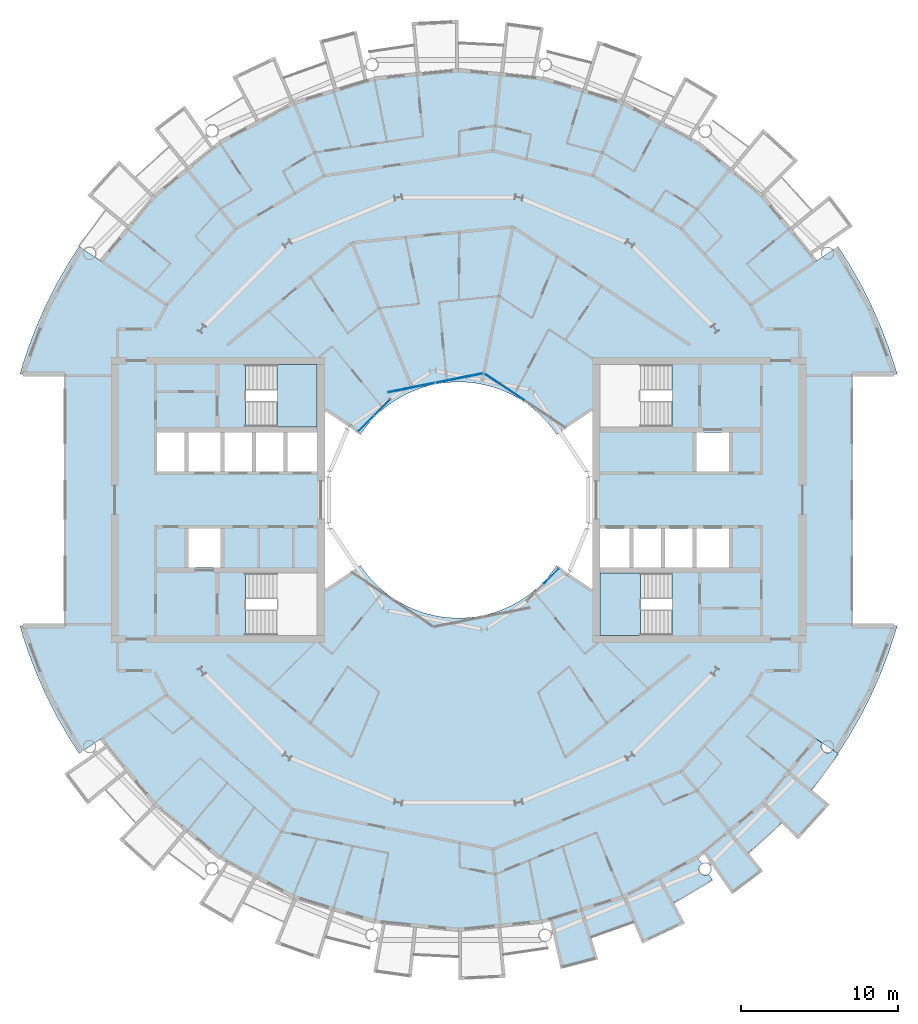
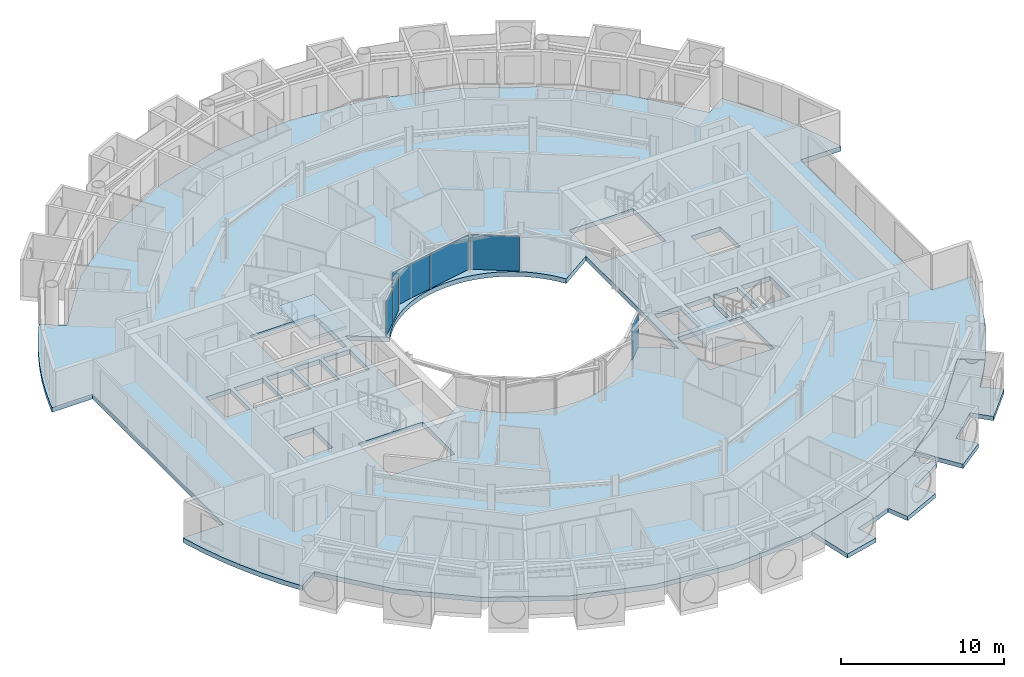
# One storey, part 11 of 27: 6 plates, 5 slabs, 6 elements without a shape of their own.
"""IFC4 building model written with IfcOpenShell, lengths in metres."""

from ifc_helpers import new_model, si_unit, direction, frame, origin, origin_2d, place, context, subcontext, project, spatial, polyline, rectangle, outline, extrude, material, layer, layer_set, type_object, element, aggregate, save


model = new_model("IFC4")

# Units and contexts
model_context = context("Model", 3, precision=1e-05, world=origin(), true_north=direction((0.0, 1.0)))
body_context = subcontext(model_context, "Body", "Model", "MODEL_VIEW")
ifc_project = project(units=[si_unit("LENGTHUNIT", "METRE"), si_unit("AREAUNIT", "SQUARE_METRE"), si_unit("VOLUMEUNIT", "CUBIC_METRE"), si_unit("PLANEANGLEUNIT", "RADIAN"), si_unit("MASSUNIT", "GRAM", prefix="KILO")], contexts=[model_context])

# Site, building, storey
site_placement = place(None, origin())
site = spatial("IfcSite", under=ifc_project, at=site_placement, CompositionType="ELEMENT")
building_placement = place(site_placement, origin())
building = spatial("IfcBuilding", under=site, at=building_placement, Name="Maasbend Ring Residences", CompositionType="ELEMENT")
storey_placement = place(building_placement, frame((0.0, 0.0, 145.199951171875)))
storey = spatial("IfcBuildingStorey", under=building, at=storey_placement, Name="L41", CompositionType="ELEMENT", Elevation=145.199951171875)

# Stair, slab
ifc_material_1 = material(Name="Concrete C40/50", Category="concrete")
stair_type = type_object("IfcStairType", Name="CORE STAIR 18 RISERS", PredefinedType="HALF_TURN_STAIR", material=ifc_material_1)
stair_1_placement = place(storey_placement, origin())
stair_1 = element("IfcStair", 1, at=stair_1_placement, inside=storey, type_object=stair_type, Name="L41 Exit stair ST-E2", PredefinedType="HALF_TURN_STAIR")
ifc_material_2 = material(Name="Concrete C40/50", Category="concrete")
ifc_layer_1 = layer(ifc_material_2, 0.199951171875)
ifc_layer_set_1 = layer_set([ifc_layer_1], Name="Concrete C40/50")
slab_type_1 = type_object("IfcSlabType", Name="CORE STAIR LANDING 200", PredefinedType="LANDING", material=ifc_layer_set_1)
slab_1_placement = place(storey_placement, frame((0.0, 0.0, 1.324951171875)))
slab_1 = element("IfcSlab", 2, at=slab_1_placement, type_object=slab_type_1, Name="ST-E2 landing 1", PredefinedType="LANDING", context=body_context, shape_type="SweptSolid", body=[
    extrude(outline(polyline([(11.550048828125, -4.64990234375), (9.0, -4.64990234375), (9.0, -8.60009765625), (11.550048828125, -8.60009765625), (11.550048828125, -4.64990234375)])), origin(), (0.0, 0.0, 1.0), 0.2001953125),
])
aggregate(stair_1, [slab_1])

stair_2_placement = place(storey_placement, origin())
stair_2 = element("IfcStair", 3, at=stair_2_placement, inside=storey, type_object=stair_type, Name="L41 Exit stair ST-W2", PredefinedType="HALF_TURN_STAIR")
slab_2_placement = place(storey_placement, frame((0.0, 0.0, 1.324951171875)))
slab_2 = element("IfcSlab", 4, at=slab_2_placement, type_object=slab_type_1, Name="ST-W2 landing 1", PredefinedType="LANDING", context=body_context, shape_type="SweptSolid", body=[
    extrude(outline(polyline([(-11.550048828125, 4.64990234375), (-9.0, 4.64990234375), (-9.0, 8.60009765625), (-11.550048828125, 8.60009765625), (-11.550048828125, 4.64990234375)])), origin(), (0.0, 0.0, 1.0), 0.2001953125),
])
aggregate(stair_2, [slab_2])

# Curtain wall, plate
ifc_material_3 = material(Name="Aluminium and clear glass", Category="aluminium")
ifc_layer_2 = layer(ifc_material_3, 0.179931640625)
ifc_layer_set_2 = layer_set([ifc_layer_2], Name="CW-W")
curtain_wall_type = type_object("IfcCurtainWallType", Name="CW-W", PredefinedType="NOTDEFINED", material=ifc_layer_set_2)
curtain_wall_1_placement = place(storey_placement, origin())
curtain_wall_1 = element("IfcCurtainWall", 5, at=curtain_wall_1_placement, inside=storey, type_object=curtain_wall_type, Name="Well curtain wall N1", PredefinedType="NOTDEFINED")
ifc_material_4 = material(Name="Glass clear laminated", Category="glass")
ifc_layer_3 = layer(ifc_material_4, 0.031982421875)
ifc_layer_set_3 = layer_set([ifc_layer_3], Name="CWP-W")
plate_type = type_object("IfcPlateType", Name="CWP-W", PredefinedType="CURTAIN_PANEL", material=ifc_layer_set_3)
plate_1_placement = place(storey_placement, frame((2.922119140625, 7.17578125, 0.0), z_axis=(0.0, 0.0, 1.0), x_axis=(-0.831469612303, 0.55557023302, 0.0)))
plate_1 = element("IfcPlate", 6, at=plate_1_placement, type_object=plate_type, Name="Glass panel well face", PredefinedType="CURTAIN_PANEL", context=body_context, shape_type="SweptSolid", body=[
    extrude(rectangle(XDim=3.053955078125, YDim=0.031982421875, at=origin_2d()), origin(), (0.0, 0.0, 1.0), 2.580078125),
])
aggregate(curtain_wall_1, [plate_1])

# Curtain wall, plates
curtain_wall_2_placement = place(storey_placement, origin())
curtain_wall_2 = element("IfcCurtainWall", 7, at=curtain_wall_2_placement, inside=storey, type_object=curtain_wall_type, Name="Well curtain wall N2", PredefinedType="NOTDEFINED")
plate_2_placement = place(storey_placement, frame((0.04638671875, 7.747802734375, 0.0), z_axis=(0.0, 0.0, 1.0), x_axis=(-0.980785280403, -0.195090322016, 0.0)))
plate_2 = element("IfcPlate", 8, at=plate_2_placement, type_object=plate_type, Name="Glass panel well face", PredefinedType="CURTAIN_PANEL", context=body_context, shape_type="SweptSolid", body=[
    extrude(rectangle(XDim=3.053955078125, YDim=0.031982421875, at=origin_2d()), origin(), (0.0, 0.0, 1.0), 2.580078125),
])
plate_3_placement = place(storey_placement, frame((-3.0078125, 7.140380859375, 0.0), z_axis=(0.0, 0.0, 1.0), x_axis=(-0.980785280403, -0.195090322016, 0.0)))
plate_3 = element("IfcPlate", 9, at=plate_3_placement, type_object=plate_type, Name="Glass panel well face", PredefinedType="CURTAIN_PANEL", context=body_context, shape_type="SweptSolid", body=[
    extrude(rectangle(XDim=3.053955078125, YDim=0.031982421875, at=origin_2d()), origin(), (0.0, 0.0, 1.0), 2.580078125),
])
aggregate(curtain_wall_2, [plate_2, plate_3])

curtain_wall_3_placement = place(storey_placement, origin())
curtain_wall_3 = element("IfcCurtainWall", 10, at=curtain_wall_3_placement, inside=storey, type_object=curtain_wall_type, Name="Well curtain wall N3", PredefinedType="NOTDEFINED")
plate_4_placement = place(storey_placement, frame((-4.84375, 5.89013671875, 0.0), z_axis=(0.0, 0.0, 1.0), x_axis=(-0.707106781187, -0.707106781187, 0.0)))
plate_4 = element("IfcPlate", 11, at=plate_4_placement, type_object=plate_type, Name="Glass panel well face", PredefinedType="CURTAIN_PANEL", context=body_context, shape_type="SweptSolid", body=[
    extrude(rectangle(XDim=1.419677734375, YDim=0.031982421875, at=origin_2d()), origin(), (0.0, 0.0, 1.0), 2.580078125),
])
plate_5_placement = place(storey_placement, frame((-5.89013671875, 4.84375, 0.0), z_axis=(0.0, 0.0, 1.0), x_axis=(-0.707106781187, -0.707106781187, 0.0)))
plate_5 = element("IfcPlate", 12, at=plate_5_placement, type_object=plate_type, Name="Glass panel well face", PredefinedType="CURTAIN_PANEL", context=body_context, shape_type="SweptSolid", body=[
    extrude(rectangle(XDim=1.419677734375, YDim=0.031982421875, at=origin_2d()), origin(), (0.0, 0.0, 1.0), 2.580078125),
])
aggregate(curtain_wall_3, [plate_4, plate_5])

# Curtain wall, plate
curtain_wall_4_placement = place(storey_placement, origin())
curtain_wall_4 = element("IfcCurtainWall", 13, at=curtain_wall_4_placement, inside=storey, type_object=curtain_wall_type, Name="Well curtain wall S3", PredefinedType="NOTDEFINED")
plate_6_placement = place(storey_placement, frame((5.89013671875, -4.84375, 0.0), z_axis=(0.0, 0.0, 1.0), x_axis=(0.707106781187, 0.707106781187, 0.0)))
plate_6 = element("IfcPlate", 14, at=plate_6_placement, type_object=plate_type, Name="Glass panel well face", PredefinedType="CURTAIN_PANEL", context=body_context, shape_type="SweptSolid", body=[
    extrude(rectangle(XDim=1.419677734375, YDim=0.031982421875, at=origin_2d()), origin(), (0.0, 0.0, 1.0), 2.580078125),
])
aggregate(curtain_wall_4, [plate_6])

# Slabs
ifc_material_5 = material(Name="Concrete C40/50", Category="concrete")
ifc_layer_4 = layer(ifc_material_5, 0.35009765625)
ifc_layer_set_4 = layer_set([ifc_layer_4], Name="Concrete C40/50")
slab_type_2 = type_object("IfcSlabType", Name="Post-tensioned flat plate 350", PredefinedType="FLOOR", material=ifc_layer_set_4)
slab_3_placement = place(storey_placement, frame((0.0, 0.0, -0.349853515625)))
element("IfcSlab", 15, at=slab_3_placement, inside=storey, type_object=slab_type_2, Name="Floor slab L41", PredefinedType="FLOOR", context=body_context, shape_type="SweptSolid", body=[
    extrude(outline(polyline([(24.8740234375, -14.908935546875), (25.57568359375, -13.67041015625), (26.2158203125, -12.399169921875), (26.79248046875, -11.097900390625), (27.3046875, -9.769775390625), (27.751220703125, -8.418212890625), (27.866943359375, -8.0), (25.0, -8.0), (25.0, 8.0), (27.866943359375, 8.0), (27.751220703125, 8.418212890625), (27.3046875, 9.769775390625), (26.79248046875, 11.097900390625), (26.2158203125, 12.399169921875), (25.57568359375, 13.67041015625), (24.8740234375, 14.908935546875), (24.112548828125, 16.111572265625), (22.69921875, 15.1669921875), (19.303955078125, 19.303955078125), (15.1669921875, 22.69921875), (10.447265625, 25.221923828125), (5.325927734375, 26.775390625), (0.0, 27.300048828125), (-5.325927734375, 26.775390625), (-10.447265625, 25.221923828125), (-15.1669921875, 22.69921875), (-19.303955078125, 19.303955078125), (-22.69921875, 15.1669921875), (-24.112548828125, 16.111572265625), (-24.8740234375, 14.908935546875), (-25.57568359375, 13.67041015625), (-26.2158203125, 12.399169921875), (-26.79248046875, 11.097900390625), (-27.3046875, 9.769775390625), (-27.751220703125, 8.418212890625), (-27.866943359375, 8.0), (-25.0, 8.0), (-25.0, -8.0), (-27.866943359375, -8.0), (-27.751220703125, -8.418212890625), (-27.3046875, -9.769775390625), (-26.79248046875, -11.097900390625), (-26.2158203125, -12.399169921875), (-25.57568359375, -13.67041015625), (-24.8740234375, -14.908935546875), (-24.112548828125, -16.111572265625), (-22.69921875, -15.1669921875), (-19.303955078125, -19.303955078125), (-15.1669921875, -22.69921875), (-10.447265625, -25.221923828125), (-5.325927734375, -26.775390625), (0.0, -27.300048828125), (5.325927734375, -26.775390625), (10.447265625, -25.221923828125), (15.1669921875, -22.69921875), (19.303955078125, -19.303955078125), (22.69921875, -15.1669921875), (24.112548828125, -16.111572265625), (24.8740234375, -14.908935546875)]), holes=[polyline([(15.125, 1.824951171875), (15.125, 4.27490234375), (17.175048828125, 4.27490234375), (17.175048828125, 1.824951171875), (15.125, 1.824951171875)]), polyline([(15.125, -4.27490234375), (15.125, -1.824951171875), (17.175048828125, -1.824951171875), (17.175048828125, -4.27490234375), (15.125, -4.27490234375)]), polyline([(13.125, -4.27490234375), (13.125, -1.824951171875), (14.875, -1.824951171875), (14.875, -4.27490234375), (13.125, -4.27490234375)]), polyline([(13.550048828125, 8.60009765625), (13.550048828125, 4.64990234375), (9.0, 4.64990234375), (9.0, 8.60009765625), (13.550048828125, 8.60009765625)]), polyline([(13.550048828125, -4.64990234375), (13.550048828125, -8.60009765625), (9.0, -8.60009765625), (9.0, -4.64990234375), (13.550048828125, -4.64990234375)]), polyline([(11.125, -4.27490234375), (11.125, -1.824951171875), (12.875, -1.824951171875), (12.875, -4.27490234375), (11.125, -4.27490234375)]), polyline([(9.0, -4.27490234375), (9.0, -1.824951171875), (10.875, -1.824951171875), (10.875, -4.27490234375), (9.0, -4.27490234375)]), polyline([(6.024169921875, 4.4677734375), (6.236083984375, 4.166748046875), (8.5, 5.679443359375), (8.5, -5.679443359375), (6.236083984375, -4.166748046875), (6.024169921875, -4.4677734375), (5.797607421875, -4.7578125), (5.55712890625, -5.03662109375), (5.30322265625, -5.30322265625), (5.03662109375, -5.55712890625), (4.7578125, -5.797607421875), (4.4677734375, -6.024169921875), (4.166748046875, -6.236083984375), (3.855712890625, -6.43310546875), (3.535400390625, -6.614501953125), (3.206787109375, -6.77978515625), (2.8701171875, -6.92919921875), (2.526611328125, -7.0615234375), (2.177001953125, -7.177001953125), (1.822509765625, -7.275146484375), (1.463134765625, -7.35595703125), (1.1005859375, -7.418701171875), (0.735107421875, -7.4638671875), (0.367919921875, -7.490966796875), (0.0, -7.5), (-0.367919921875, -7.490966796875), (-0.735107421875, -7.4638671875), (-1.1005859375, -7.418701171875), (-1.463134765625, -7.35595703125), (-1.822509765625, -7.275146484375), (-2.177001953125, -7.177001953125), (-2.526611328125, -7.0615234375), (-2.8701171875, -6.92919921875), (-3.206787109375, -6.77978515625), (-3.535400390625, -6.614501953125), (-3.855712890625, -6.43310546875), (-4.166748046875, -6.236083984375), (-4.4677734375, -6.024169921875), (-4.7578125, -5.797607421875), (-5.03662109375, -5.55712890625), (-5.30322265625, -5.30322265625), (-5.55712890625, -5.03662109375), (-5.797607421875, -4.7578125), (-6.024169921875, -4.4677734375), (-6.236083984375, -4.166748046875), (-8.5, -5.679443359375), (-8.5, 5.679443359375), (-6.236083984375, 4.166748046875), (-6.024169921875, 4.4677734375), (-5.797607421875, 4.7578125), (-5.55712890625, 5.03662109375), (-5.30322265625, 5.30322265625), (-5.03662109375, 5.55712890625), (-4.7578125, 5.797607421875), (-4.4677734375, 6.024169921875), (-4.166748046875, 6.236083984375), (-3.855712890625, 6.43310546875), (-3.535400390625, 6.614501953125), (-3.206787109375, 6.77978515625), (-2.8701171875, 6.92919921875), (-2.526611328125, 7.0615234375), (-2.177001953125, 7.177001953125), (-1.822509765625, 7.275146484375), (-1.463134765625, 7.35595703125), (-1.1005859375, 7.418701171875), (-0.735107421875, 7.4638671875), (-0.367919921875, 7.490966796875), (0.0, 7.5), (0.367919921875, 7.490966796875), (0.735107421875, 7.4638671875), (1.1005859375, 7.418701171875), (1.463134765625, 7.35595703125), (1.822509765625, 7.275146484375), (2.177001953125, 7.177001953125), (2.526611328125, 7.0615234375), (2.8701171875, 6.92919921875), (3.206787109375, 6.77978515625), (3.535400390625, 6.614501953125), (3.855712890625, 6.43310546875), (4.166748046875, 6.236083984375), (4.4677734375, 6.024169921875), (4.7578125, 5.797607421875), (5.03662109375, 5.55712890625), (5.30322265625, 5.30322265625), (5.55712890625, 5.03662109375), (5.797607421875, 4.7578125), (6.024169921875, 4.4677734375)]), polyline([(-13.550048828125, 4.64990234375), (-13.550048828125, 8.60009765625), (-9.0, 8.60009765625), (-9.0, 4.64990234375), (-13.550048828125, 4.64990234375)]), polyline([(-9.0, -8.60009765625), (-13.550048828125, -8.60009765625), (-13.550048828125, -4.64990234375), (-9.0, -4.64990234375), (-9.0, -8.60009765625)]), polyline([(-9.0, 4.27490234375), (-9.0, 1.824951171875), (-10.875, 1.824951171875), (-10.875, 4.27490234375), (-9.0, 4.27490234375)]), polyline([(-11.125, 4.27490234375), (-11.125, 1.824951171875), (-12.875, 1.824951171875), (-12.875, 4.27490234375), (-11.125, 4.27490234375)]), polyline([(-13.125, 4.27490234375), (-13.125, 1.824951171875), (-14.875, 1.824951171875), (-14.875, 4.27490234375), (-13.125, 4.27490234375)]), polyline([(-15.125, 4.27490234375), (-15.125, 1.824951171875), (-17.175048828125, 1.824951171875), (-17.175048828125, 4.27490234375), (-15.125, 4.27490234375)]), polyline([(-15.125, -1.824951171875), (-15.125, -4.27490234375), (-17.175048828125, -4.27490234375), (-17.175048828125, -1.824951171875), (-15.125, -1.824951171875)]), polyline([(-17.425048828125, 4.27490234375), (-17.425048828125, 1.824951171875), (-19.14990234375, 1.824951171875), (-19.14990234375, 4.27490234375), (-17.425048828125, 4.27490234375)])]), origin(), (0.0, 0.0, 1.0), 0.349853515625),
])
ifc_material_6 = material(Name="Concrete C40/50", Category="concrete")
ifc_layer_5 = layer(ifc_material_6, 0.199951171875)
ifc_layer_set_5 = layer_set([ifc_layer_5], Name="Concrete C40/50")
slab_type_3 = type_object("IfcSlabType", Name="SL-LOGGIA", PredefinedType="FLOOR", material=ifc_layer_set_5)
slab_4_placement = place(storey_placement, frame((0.0, 0.0, -0.349853515625)))
element("IfcSlab", 16, at=slab_4_placement, inside=storey, type_object=slab_type_3, Name="Loggia floor 1", PredefinedType="FLOOR", context=body_context, shape_type="SweptSolid", body=[
    extrude(outline(polyline([(10.447021484375, -25.221923828125), (12.806884765625, -23.9609375), (15.1669921875, -22.698974609375), (15.1669921875, -22.698974609375), (15.1669921875, -22.698974609375), (15.44091796875, -23.10888671875), (15.43310546875, -23.114990234375), (15.425048828125, -23.12109375), (15.4169921875, -23.126953125), (15.408935546875, -23.133056640625), (15.402099609375, -23.139892578125), (15.39404296875, -23.14599609375), (15.386962890625, -23.153076171875), (15.3798828125, -23.159912109375), (15.373046875, -23.1669921875), (15.365966796875, -23.174072265625), (15.35888671875, -23.181884765625), (15.35302734375, -23.18994140625), (15.346923828125, -23.197021484375), (15.341064453125, -23.205078125), (15.3349609375, -23.212890625), (15.3291015625, -23.221923828125), (15.323974609375, -23.22998046875), (15.318115234375, -23.238037109375), (15.31298828125, -23.2470703125), (15.30908203125, -23.256103515625), (15.303955078125, -23.264892578125), (15.300048828125, -23.27392578125), (15.294921875, -23.282958984375), (15.2919921875, -23.2919921875), (15.2880859375, -23.301025390625), (15.283935546875, -23.31005859375), (15.281005859375, -23.320068359375), (15.278076171875, -23.3291015625), (15.27490234375, -23.339111328125), (15.27294921875, -23.34912109375), (15.27001953125, -23.35791015625), (15.26806640625, -23.367919921875), (15.26708984375, -23.3779296875), (15.264892578125, -23.387939453125), (15.263916015625, -23.39794921875), (15.262939453125, -23.407958984375), (15.261962890625, -23.4169921875), (15.260986328125, -23.427001953125), (15.260986328125, -23.43701171875), (15.260986328125, -23.447021484375), (15.260986328125, -23.45703125), (15.260986328125, -23.467041015625), (15.261962890625, -23.47705078125), (15.262939453125, -23.487060546875), (15.263916015625, -23.4970703125), (15.264892578125, -23.507080078125), (15.26708984375, -23.51708984375), (15.26806640625, -23.527099609375), (15.27001953125, -23.535888671875), (15.27294921875, -23.5458984375), (15.27490234375, -23.555908203125), (15.278076171875, -23.56494140625), (15.281005859375, -23.574951171875), (15.283935546875, -23.583984375), (15.2880859375, -23.593994140625), (15.2919921875, -23.60302734375), (15.294921875, -23.612060546875), (15.300048828125, -23.62109375), (15.303955078125, -23.6298828125), (15.30908203125, -23.638916015625), (15.31298828125, -23.64794921875), (15.318115234375, -23.656005859375), (15.323974609375, -23.6650390625), (15.3291015625, -23.673095703125), (15.3349609375, -23.680908203125), (15.341064453125, -23.68994140625), (15.346923828125, -23.697021484375), (15.35302734375, -23.705078125), (15.35888671875, -23.712890625), (15.365966796875, -23.719970703125), (15.373046875, -23.72802734375), (15.3798828125, -23.735107421875), (15.386962890625, -23.741943359375), (15.39404296875, -23.7490234375), (15.402099609375, -23.7548828125), (15.408935546875, -23.761962890625), (15.4169921875, -23.76806640625), (15.425048828125, -23.77392578125), (15.43310546875, -23.780029296875), (15.44091796875, -23.784912109375), (15.449951171875, -23.791015625), (15.4580078125, -23.7958984375), (15.467041015625, -23.801025390625), (15.47509765625, -23.805908203125), (15.48388671875, -23.81005859375), (15.492919921875, -23.81494140625), (15.501953125, -23.819091796875), (15.511962890625, -23.822998046875), (15.52099609375, -23.826904296875), (15.530029296875, -23.830078125), (15.5400390625, -23.8330078125), (15.549072265625, -23.8359375), (15.55908203125, -23.839111328125), (15.568115234375, -23.842041015625), (15.577880859375, -23.843994140625), (15.587890625, -23.845947265625), (15.597900390625, -23.847900390625), (15.60693359375, -23.85009765625), (15.616943359375, -23.85107421875), (15.626953125, -23.85205078125), (15.636962890625, -23.85302734375), (15.64697265625, -23.85302734375), (15.656982421875, -23.85400390625), (15.6669921875, -23.85400390625), (15.677001953125, -23.85400390625), (15.68701171875, -23.85302734375), (15.697021484375, -23.85302734375), (15.70703125, -23.85205078125), (15.717041015625, -23.85107421875), (15.72705078125, -23.85009765625), (15.737060546875, -23.847900390625), (15.74609375, -23.845947265625), (15.756103515625, -23.843994140625), (15.76611328125, -23.842041015625), (15.77587890625, -23.839111328125), (15.784912109375, -23.8359375), (15.794921875, -23.8330078125), (15.803955078125, -23.830078125), (15.81298828125, -23.826904296875), (15.822998046875, -23.822998046875), (15.83203125, -23.819091796875), (15.841064453125, -23.81494140625), (15.85009765625, -23.81005859375), (15.85888671875, -23.805908203125), (15.866943359375, -23.801025390625), (15.8759765625, -23.7958984375), (15.885009765625, -23.791015625), (15.89306640625, -23.784912109375), (16.112060546875, -24.113037109375), (16.112060546875, -24.113037109375), (16.112060546875, -24.113037109375), (15.31396484375, -24.626953125), (15.31396484375, -24.626953125), (14.5, -25.114990234375), (14.5, -25.114990234375), (13.6708984375, -25.574951171875), (13.6708984375, -25.575927734375), (13.6708984375, -25.575927734375), (13.6708984375, -25.575927734375), (13.6708984375, -25.575927734375), (13.6708984375, -25.575927734375), (13.6708984375, -25.575927734375), (13.6708984375, -25.575927734375), (13.6708984375, -25.575927734375), (13.6708984375, -25.575927734375), (13.6708984375, -25.575927734375), (13.6708984375, -25.575927734375), (13.6708984375, -25.575927734375), (13.6708984375, -25.575927734375), (13.6708984375, -25.575927734375), (13.6708984375, -25.575927734375), (13.6708984375, -25.575927734375), (14.3779296875, -26.89892578125), (14.3779296875, -26.89892578125), (14.3779296875, -26.89892578125), (11.672119140625, -28.177978515625), (11.672119140625, -28.177978515625), (11.672119140625, -28.177978515625), (11.097900390625, -26.79296875), (11.097900390625, -26.79296875), (11.097900390625, -26.79296875), (11.097900390625, -26.79296875), (11.097900390625, -26.79296875), (11.097900390625, -26.79296875), (11.097900390625, -26.79296875), (11.097900390625, -26.79296875), (11.097900390625, -26.79296875), (11.097900390625, -26.79296875), (11.097900390625, -26.79296875), (11.097900390625, -26.79296875), (11.097900390625, -26.79296875), (11.097900390625, -26.79296875), (11.096923828125, -26.79296875), (11.096923828125, -26.79296875), (11.096923828125, -26.79296875), (10.215087890625, -27.14111328125), (10.215087890625, -27.14111328125), (9.322021484375, -27.4609375), (9.322021484375, -27.4609375), (8.4189453125, -27.7509765625), (8.4189453125, -27.7509765625), (8.4189453125, -27.7509765625), (8.4189453125, -27.7509765625), (8.4189453125, -27.7509765625), (8.4189453125, -27.7509765625), (8.41796875, -27.7509765625), (8.41796875, -27.7509765625), (8.41796875, -27.7509765625), (8.41796875, -27.7509765625), (8.41796875, -27.7509765625), (8.41796875, -27.751953125), (8.41796875, -27.751953125), (8.41796875, -27.751953125), (8.41796875, -27.751953125), (8.41796875, -27.751953125), (8.41796875, -27.751953125), (8.85400390625, -29.18701171875), (8.85400390625, -29.18701171875), (8.85400390625, -29.18701171875), (6.487060546875, -29.802001953125), (6.487060546875, -29.802001953125), (6.487060546875, -29.802001953125), (5.797119140625, -26.633056640625), (5.797119140625, -26.633056640625), (5.797119140625, -26.633056640625), (7.886962890625, -25.9990234375), (10.447021484375, -25.221923828125), (10.447021484375, -25.221923828125), (10.447021484375, -25.221923828125)])), origin(), (0.0, 0.0, 1.0), 0.31982421875),
])
slab_5_placement = place(storey_placement, frame((0.0, 0.0, -0.349853515625)))
element("IfcSlab", 17, at=slab_5_placement, inside=storey, type_object=slab_type_3, Name="Loggia floor 4", PredefinedType="FLOOR", context=body_context, shape_type="SweptSolid", body=[
    extrude(outline(polyline([(19.303955078125, -19.303955078125), (21.001953125, -17.236083984375), (22.698974609375, -15.1669921875), (22.698974609375, -15.1669921875), (22.698974609375, -15.1669921875), (23.10888671875, -15.44091796875), (23.10888671875, -15.44091796875), (23.10400390625, -15.449951171875), (23.09912109375, -15.4580078125), (23.093994140625, -15.467041015625), (23.089111328125, -15.47509765625), (23.083984375, -15.48388671875), (23.080078125, -15.492919921875), (23.075927734375, -15.501953125), (23.072021484375, -15.511962890625), (23.068115234375, -15.52099609375), (23.06494140625, -15.530029296875), (23.06103515625, -15.5400390625), (23.05810546875, -15.549072265625), (23.055908203125, -15.55908203125), (23.052978515625, -15.568115234375), (23.051025390625, -15.577880859375), (23.049072265625, -15.587890625), (23.047119140625, -15.597900390625), (23.044921875, -15.60693359375), (23.0439453125, -15.616943359375), (23.04296875, -15.626953125), (23.0419921875, -15.636962890625), (23.041015625, -15.64697265625), (23.041015625, -15.656982421875), (23.041015625, -15.6669921875), (23.041015625, -15.677001953125), (23.041015625, -15.68701171875), (23.0419921875, -15.697021484375), (23.04296875, -15.70703125), (23.0439453125, -15.717041015625), (23.044921875, -15.72705078125), (23.047119140625, -15.737060546875), (23.049072265625, -15.74609375), (23.051025390625, -15.756103515625), (23.052978515625, -15.76611328125), (23.055908203125, -15.77587890625), (23.05810546875, -15.784912109375), (23.06103515625, -15.794921875), (23.06494140625, -15.803955078125), (23.068115234375, -15.81298828125), (23.072021484375, -15.822998046875), (23.075927734375, -15.83203125), (23.080078125, -15.841064453125), (23.083984375, -15.85009765625), (23.089111328125, -15.85888671875), (23.093994140625, -15.866943359375), (23.09912109375, -15.8759765625), (23.10400390625, -15.885009765625), (23.10888671875, -15.89306640625), (23.114990234375, -15.90087890625), (23.12109375, -15.908935546875), (23.126953125, -15.9169921875), (23.133056640625, -15.925048828125), (23.139892578125, -15.93310546875), (23.14599609375, -15.93994140625), (23.153076171875, -15.947021484375), (23.159912109375, -15.955078125), (23.1669921875, -15.9619140625), (23.174072265625, -15.968017578125), (23.181884765625, -15.97509765625), (23.18994140625, -15.98095703125), (23.197021484375, -15.988037109375), (23.205078125, -15.993896484375), (23.212890625, -15.9990234375), (23.221923828125, -16.0048828125), (23.22998046875, -16.010986328125), (23.238037109375, -16.01611328125), (23.2470703125, -16.02099609375), (23.256103515625, -16.02587890625), (23.264892578125, -16.030029296875), (23.27392578125, -16.034912109375), (23.282958984375, -16.0390625), (23.2919921875, -16.04296875), (23.301025390625, -16.0458984375), (23.31005859375, -16.050048828125), (23.320068359375, -16.052978515625), (23.3291015625, -16.055908203125), (23.339111328125, -16.05908203125), (23.34912109375, -16.06103515625), (23.35791015625, -16.06396484375), (23.367919921875, -16.06591796875), (23.3779296875, -16.068115234375), (23.387939453125, -16.069091796875), (23.39794921875, -16.071044921875), (23.407958984375, -16.072021484375), (23.4169921875, -16.072021484375), (23.427001953125, -16.072998046875), (23.43701171875, -16.072998046875), (23.447021484375, -16.073974609375), (23.45703125, -16.072998046875), (23.467041015625, -16.072998046875), (23.47705078125, -16.072021484375), (23.487060546875, -16.072021484375), (23.4970703125, -16.071044921875), (23.507080078125, -16.069091796875), (23.51708984375, -16.068115234375), (23.527099609375, -16.06591796875), (23.535888671875, -16.06396484375), (23.5458984375, -16.06103515625), (23.555908203125, -16.05908203125), (23.56494140625, -16.055908203125), (23.574951171875, -16.052978515625), (23.583984375, -16.050048828125), (23.593994140625, -16.0458984375), (23.60302734375, -16.04296875), (23.612060546875, -16.0390625), (23.62109375, -16.034912109375), (23.6298828125, -16.030029296875), (23.638916015625, -16.02587890625), (23.64794921875, -16.02099609375), (23.656005859375, -16.01611328125), (23.6650390625, -16.010986328125), (23.673095703125, -16.0048828125), (23.680908203125, -15.9990234375), (23.68994140625, -15.993896484375), (23.697021484375, -15.988037109375), (23.705078125, -15.98095703125), (23.712890625, -15.97509765625), (23.719970703125, -15.968017578125), (23.72802734375, -15.9619140625), (23.735107421875, -15.955078125), (23.741943359375, -15.947021484375), (23.7490234375, -15.93994140625), (23.7548828125, -15.93310546875), (23.761962890625, -15.925048828125), (23.76806640625, -15.9169921875), (23.77392578125, -15.908935546875), (23.780029296875, -15.90087890625), (23.784912109375, -15.89306640625), (23.784912109375, -15.89306640625), (24.113037109375, -16.112060546875), (24.113037109375, -16.112060546875), (24.113037109375, -16.112060546875), (23.572998046875, -16.89208984375), (23.572998046875, -16.89208984375), (23.007080078125, -17.654052734375), (23.007080078125, -17.654052734375), (22.41796875, -18.39697265625), (22.41796875, -18.39697265625), (22.41796875, -18.39697265625), (22.41796875, -18.39697265625), (22.41796875, -18.39697265625), (22.41796875, -18.39697265625), (22.41796875, -18.39697265625), (22.41796875, -18.39697265625), (22.41796875, -18.39697265625), (22.41796875, -18.39697265625), (22.41796875, -18.39697265625), (22.41796875, -18.39794921875), (22.41796875, -18.39794921875), (22.41796875, -18.39794921875), (22.41796875, -18.39794921875), (22.41796875, -18.39794921875), (22.41796875, -18.39794921875), (23.576904296875, -19.34912109375), (23.576904296875, -19.34912109375), (23.576904296875, -19.34912109375), (21.56689453125, -21.56689453125), (21.56689453125, -21.56689453125), (21.56689453125, -21.56689453125), (20.506103515625, -20.506103515625), (20.506103515625, -20.506103515625), (20.506103515625, -20.506103515625), (20.506103515625, -20.506103515625), (20.506103515625, -20.506103515625), (20.506103515625, -20.506103515625), (20.506103515625, -20.506103515625), (20.506103515625, -20.506103515625), (20.506103515625, -20.506103515625), (20.506103515625, -20.506103515625), (20.506103515625, -20.506103515625), (20.506103515625, -20.506103515625), (20.506103515625, -20.506103515625), (20.506103515625, -20.506103515625), (20.506103515625, -20.506103515625), (20.506103515625, -20.506103515625), (20.506103515625, -20.506103515625), (19.823974609375, -21.166015625), (19.823974609375, -21.166015625), (19.12109375, -21.802978515625), (19.12109375, -21.802978515625), (18.39794921875, -22.4169921875), (18.39794921875, -22.4169921875), (18.39794921875, -22.4169921875), (18.39794921875, -22.4169921875), (18.39794921875, -22.4169921875), (18.39794921875, -22.4169921875), (18.39794921875, -22.4169921875), (18.39794921875, -22.4169921875), (18.39794921875, -22.4169921875), (18.39794921875, -22.4169921875), (18.39794921875, -22.4169921875), (18.39794921875, -22.4169921875), (18.39794921875, -22.41796875), (18.39794921875, -22.41796875), (18.39794921875, -22.41796875), (18.39794921875, -22.41796875), (18.39794921875, -22.41796875), (19.34912109375, -23.576904296875), (19.34912109375, -23.576904296875), (19.34912109375, -23.576904296875), (17.39794921875, -25.051025390625), (17.39794921875, -25.051025390625), (17.39794921875, -25.051025390625), (15.547119140625, -22.386962890625), (15.547119140625, -22.386962890625), (15.547119140625, -22.386962890625), (17.236083984375, -21.001953125), (19.303955078125, -19.303955078125), (19.303955078125, -19.303955078125), (19.303955078125, -19.303955078125)])), origin(), (0.0, 0.0, 1.0), 0.31982421875),
])

save(model, "model.ifc")
